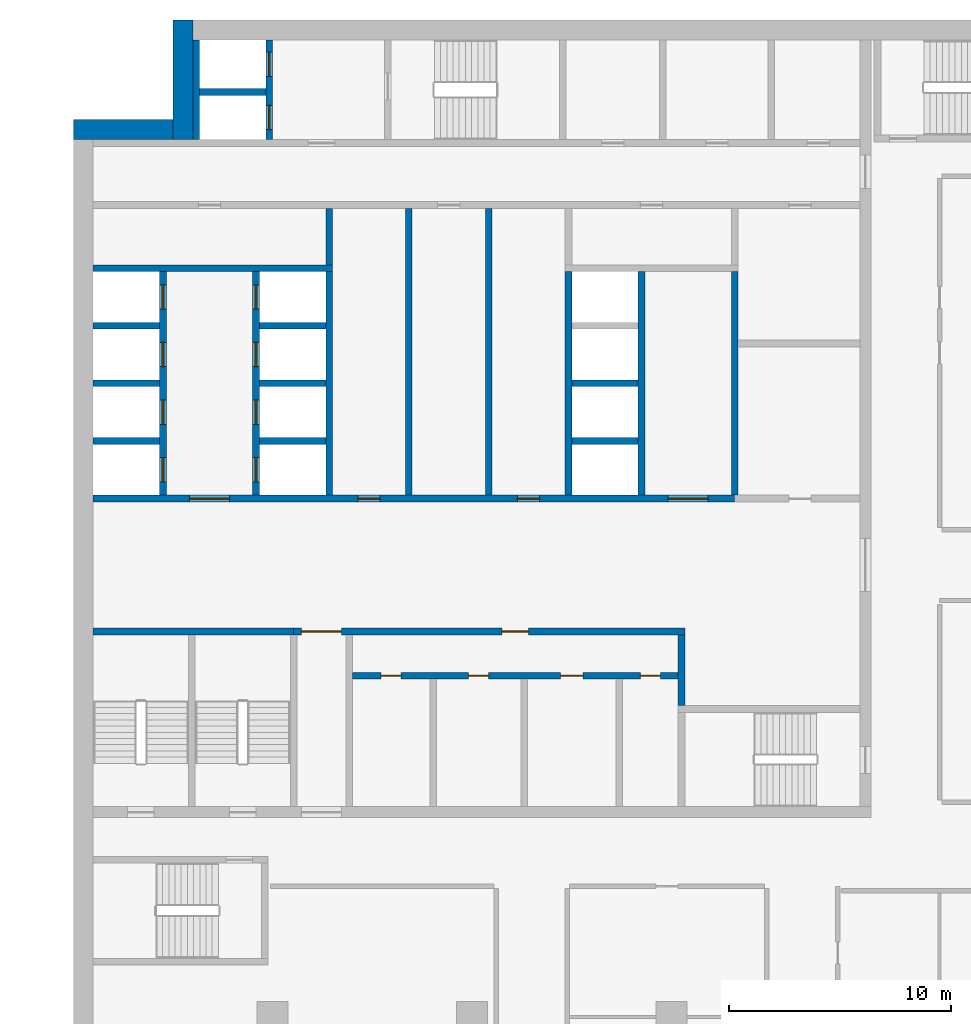
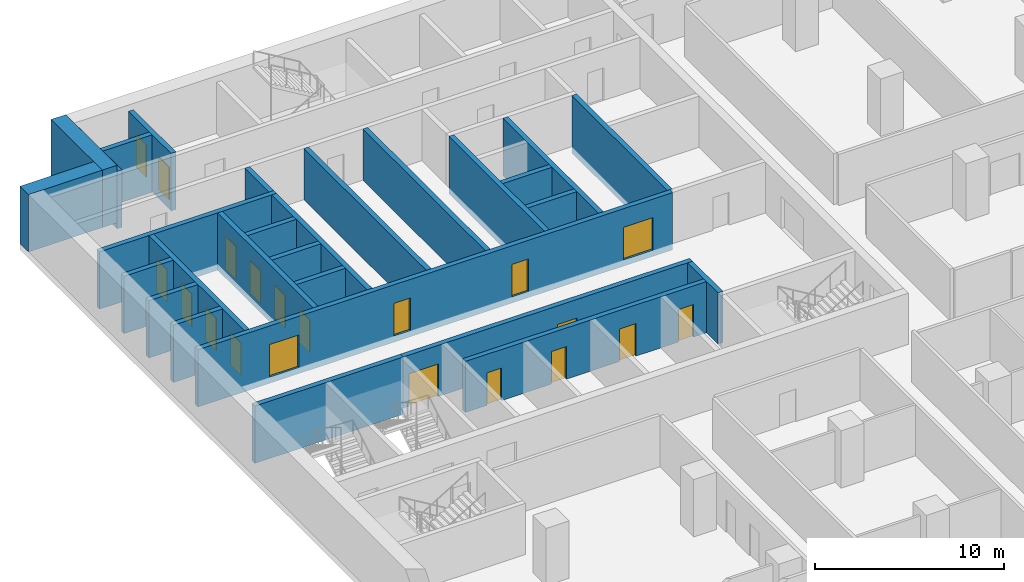
# One storey, part 14 of 29: 28 walls, 20 doors, 20 openings.
"""IFC4 building model written with IfcOpenShell, lengths in metres."""

from ifc_helpers import new_model, si_unit, direction, frame, frame_2d, origin, place, context, subcontext, project, spatial, rectangle, extrude, material, layer, layer_set, type_object, element, fill, save


model = new_model("IFC4")

# Units and contexts
model_context = context("Model", 3, precision=1e-05, world=origin(), true_north=direction((0.0, 1.0)))
body_context = subcontext(model_context, "Body", "Model", "MODEL_VIEW")
ifc_project = project(units=[si_unit("LENGTHUNIT", "METRE"), si_unit("AREAUNIT", "SQUARE_METRE"), si_unit("VOLUMEUNIT", "CUBIC_METRE"), si_unit("PLANEANGLEUNIT", "RADIAN"), si_unit("MASSUNIT", "GRAM", prefix="KILO")], contexts=[model_context])

# Site, building, storey
site_placement = place(None, origin())
site = spatial("IfcSite", under=ifc_project, at=site_placement, CompositionType="ELEMENT")
building_placement = place(site_placement, origin())
building = spatial("IfcBuilding", under=site, at=building_placement, Name="Hunhe Ridgeline Campus", CompositionType="ELEMENT")
storey_placement = place(building_placement, frame((0.0, 0.0, 50.60009765625)))
storey = spatial("IfcBuildingStorey", under=building, at=storey_placement, Name="L11", CompositionType="ELEMENT", Elevation=50.60009765625)

# Wall, openings, doors
ifc_material_1 = material(Name="Masonry concrete blockwork", Category="masonry")
ifc_layer_1 = layer(ifc_material_1, 0.300048828125)
ifc_layer_set_1 = layer_set([ifc_layer_1], Name="Core room partition 300 concrete block")
wall_type_1 = type_object("IfcWallType", Name="Core room partition 300 concrete block", PredefinedType="PARTITIONING", material=ifc_layer_set_1)
wall_1_placement = place(storey_placement, frame((12.60009765625, 69.39990234375, 0.0), z_axis=(0.0, 0.0, 1.0), x_axis=(1.0, 0.0, 0.0)))
wall_1 = element("IfcWall", 1, at=wall_1_placement, inside=storey, type_object=wall_type_1, Name="L11 core partition 11", PredefinedType="PARTITIONING", context=body_context, shape_type="SweptSolid", body=[
    extrude(rectangle(XDim=14.699951171875, YDim=0.300048828125, at=frame_2d((7.35009765625, 0.0))), origin(), (0.0, 0.0, 1.0), 3.2998046875),
])
opening_1_placement = place(wall_1_placement, frame((1.300048828125, 0.0, 0.0)))
opening_1 = element("IfcOpeningElement", 2, at=opening_1_placement, cuts=wall_1, Name="Opening CD8", PredefinedType="OPENING", context=body_context, shape_type="SweptSolid", body=[
    extrude(rectangle(XDim=0.89990234375, YDim=2.10009765625, at=frame_2d((0.449951171875, 1.050048828125))), frame((0.0, 0.14990234375, 0.0), z_axis=(0.0, -1.0, 0.0), x_axis=(1.0, 0.0, 0.0)), (0.0, 0.0, 1.0), 0.300048828125),
])
opening_2_placement = place(wall_1_placement, frame((5.25, 0.0, 0.0)))
opening_2 = element("IfcOpeningElement", 3, at=opening_2_placement, cuts=wall_1, Name="Opening CD9", PredefinedType="OPENING", context=body_context, shape_type="SweptSolid", body=[
    extrude(rectangle(XDim=0.89990234375, YDim=2.10009765625, at=frame_2d((0.449951171875, 1.050048828125))), frame((0.0, 0.14990234375, 0.0), z_axis=(0.0, -1.0, 0.0), x_axis=(1.0, 0.0, 0.0)), (0.0, 0.0, 1.0), 0.300048828125),
])
opening_3_placement = place(wall_1_placement, frame((9.39990234375, 0.0, 0.0)))
opening_3 = element("IfcOpeningElement", 4, at=opening_3_placement, cuts=wall_1, Name="Opening CD10", PredefinedType="OPENING", context=body_context, shape_type="SweptSolid", body=[
    extrude(rectangle(XDim=1.0, YDim=2.10009765625, at=frame_2d((0.5, 1.050048828125))), frame((0.0, 0.14990234375, 0.0), z_axis=(0.0, -1.0, 0.0), x_axis=(1.0, 0.0, 0.0)), (0.0, 0.0, 1.0), 0.300048828125),
])
opening_4_placement = place(wall_1_placement, frame((13.0, 0.0, 0.0)))
opening_4 = element("IfcOpeningElement", 5, at=opening_4_placement, cuts=wall_1, Name="Opening CD11", PredefinedType="OPENING", context=body_context, shape_type="SweptSolid", body=[
    extrude(rectangle(XDim=0.89990234375, YDim=2.10009765625, at=frame_2d((0.449951171875, 1.050048828125))), frame((0.0, 0.14990234375, 0.0), z_axis=(0.0, -1.0, 0.0), x_axis=(1.0, 0.0, 0.0)), (0.0, 0.0, 1.0), 0.300048828125),
])
ifc_material_2 = material(Name="Solid core timber door leaf", Category="wood")
door_type_1 = type_object("IfcDoorType", Name="Timber door 1000x2100", OperationType="SINGLE_SWING_LEFT", PredefinedType="DOOR", material=ifc_material_2)
door_1_placement = place(opening_3_placement, frame((1.0, 0.0, 0.0), z_axis=(0.0, 0.0, 1.0), x_axis=(-1.0, 0.0, 0.0)))
door_1 = element("IfcDoor", 6, at=door_1_placement, inside=storey, type_object=door_type_1, Name="L11 door WC3", OperationType="SINGLE_SWING_RIGHT", OverallHeight=2.10009765625, OverallWidth=1.0, PredefinedType="DOOR", context=body_context, shape_type="SweptSolid", body=[
    extrude(rectangle(XDim=1.0, YDim=2.10009765625, at=frame_2d((0.5, 1.050048828125))), frame((0.0, 0.02490234375, 0.0), z_axis=(0.0, -1.0, 0.0), x_axis=(1.0, 0.0, 0.0)), (0.0, 0.0, 1.0), 0.050048828125),
])
fill(opening_3, door_1)
door_type_2 = type_object("IfcDoorType", Name="Timber door 900x2100", OperationType="SINGLE_SWING_LEFT", PredefinedType="DOOR", material=ifc_material_2)
door_2_placement = place(opening_1_placement, frame((0.89990234375, 0.0, 0.0), z_axis=(0.0, 0.0, 1.0), x_axis=(-1.0, 0.0, 0.0)))
door_2 = element("IfcDoor", 7, at=door_2_placement, inside=storey, type_object=door_type_2, Name="L11 door WC1", OperationType="SINGLE_SWING_RIGHT", OverallHeight=2.10009765625, OverallWidth=0.89990234375, PredefinedType="DOOR", context=body_context, shape_type="SweptSolid", body=[
    extrude(rectangle(XDim=0.89990234375, YDim=2.10009765625, at=frame_2d((0.449951171875, 1.050048828125))), frame((0.0, 0.02490234375, 0.0), z_axis=(0.0, -1.0, 0.0), x_axis=(1.0, 0.0, 0.0)), (0.0, 0.0, 1.0), 0.050048828125),
])
fill(opening_1, door_2)
door_3_placement = place(opening_2_placement, frame((0.89990234375, 0.0, 0.0), z_axis=(0.0, 0.0, 1.0), x_axis=(-1.0, 0.0, 0.0)))
door_3 = element("IfcDoor", 8, at=door_3_placement, inside=storey, type_object=door_type_2, Name="L11 door WC2", OperationType="SINGLE_SWING_LEFT", OverallHeight=2.10009765625, OverallWidth=0.89990234375, PredefinedType="DOOR", context=body_context, shape_type="SweptSolid", body=[
    extrude(rectangle(XDim=0.89990234375, YDim=2.10009765625, at=frame_2d((0.449951171875, 1.050048828125))), frame((0.0, 0.02490234375, 0.0), z_axis=(0.0, -1.0, 0.0), x_axis=(1.0, 0.0, 0.0)), (0.0, 0.0, 1.0), 0.050048828125),
])
fill(opening_2, door_3)
door_4_placement = place(opening_4_placement, frame((0.89990234375, 0.0, 0.0), z_axis=(0.0, 0.0, 1.0), x_axis=(-1.0, 0.0, 0.0)))
door_4 = element("IfcDoor", 9, at=door_4_placement, inside=storey, type_object=door_type_2, Name="L11 door WC4", OperationType="SINGLE_SWING_LEFT", OverallHeight=2.10009765625, OverallWidth=0.89990234375, PredefinedType="DOOR", context=body_context, shape_type="SweptSolid", body=[
    extrude(rectangle(XDim=0.89990234375, YDim=2.10009765625, at=frame_2d((0.449951171875, 1.050048828125))), frame((0.0, 0.02490234375, 0.0), z_axis=(0.0, -1.0, 0.0), x_axis=(1.0, 0.0, 0.0)), (0.0, 0.0, 1.0), 0.050048828125),
])
fill(opening_4, door_4)

wall_2_placement = place(storey_placement, frame((9.949951171875, 71.39990234375, 0.0), z_axis=(0.0, 0.0, 1.0), x_axis=(1.0, 0.0, 0.0)))
wall_2 = element("IfcWall", 10, at=wall_2_placement, inside=storey, type_object=wall_type_1, Name="L11 core partition 13", PredefinedType="PARTITIONING", context=body_context, shape_type="SweptSolid", body=[
    extrude(rectangle(XDim=17.650146484375, YDim=0.300048828125, at=frame_2d((8.8251953125, 0.0))), origin(), (0.0, 0.0, 1.0), 3.2998046875),
])
opening_5_placement = place(wall_2_placement, frame((0.35009765625, 0.0, 0.0)))
opening_5 = element("IfcOpeningElement", 11, at=opening_5_placement, cuts=wall_2, Name="Opening CD7", PredefinedType="OPENING", context=body_context, shape_type="SweptSolid", body=[
    extrude(rectangle(XDim=1.800048828125, YDim=2.10009765625, at=frame_2d((0.89990234375, 1.050048828125))), frame((0.0, 0.14990234375, 0.0), z_axis=(0.0, -1.0, 0.0), x_axis=(1.0, 0.0, 0.0)), (0.0, 0.0, 1.0), 0.300048828125),
])
opening_6_placement = place(wall_2_placement, frame((9.39990234375, 0.0, 0.0)))
opening_6 = element("IfcOpeningElement", 12, at=opening_6_placement, cuts=wall_2, Name="Opening CD12", PredefinedType="OPENING", context=body_context, shape_type="SweptSolid", body=[
    extrude(rectangle(XDim=1.199951171875, YDim=2.10009765625, at=frame_2d((0.60009765625, 1.050048828125))), frame((0.0, 0.14990234375, 0.0), z_axis=(0.0, -1.0, 0.0), x_axis=(1.0, 0.0, 0.0)), (0.0, 0.0, 1.0), 0.300048828125),
])
ifc_material_3 = material(Name="Anodised aluminium and glass", Category="aluminium")
door_type_3 = type_object("IfcDoorType", Name="Glazed double door 1800x2100", OperationType="DOUBLE_DOOR_SINGLE_SWING", PredefinedType="DOOR", material=ifc_material_3)
door_5_placement = place(opening_5_placement, origin())
door_5 = element("IfcDoor", 13, at=door_5_placement, inside=storey, type_object=door_type_3, Name="L11 door VEST-HALL", OperationType="DOUBLE_DOOR_SINGLE_SWING", OverallHeight=2.10009765625, OverallWidth=1.800048828125, PredefinedType="DOOR", context=body_context, shape_type="SweptSolid", body=[
    extrude(rectangle(XDim=1.800048828125, YDim=2.10009765625, at=frame_2d((0.89990234375, 1.050048828125))), frame((0.0, 0.02490234375, 0.0), z_axis=(0.0, -1.0, 0.0), x_axis=(1.0, 0.0, 0.0)), (0.0, 0.0, 1.0), 0.050048828125),
])
fill(opening_5, door_5)
door_type_4 = type_object("IfcDoorType", Name="Timber door 1200x2100", OperationType="SINGLE_SWING_LEFT", PredefinedType="DOOR", material=ifc_material_2)
door_6_placement = place(opening_6_placement, origin())
door_6 = element("IfcDoor", 14, at=door_6_placement, inside=storey, type_object=door_type_4, Name="L11 door WCL2-HALL", OperationType="SINGLE_SWING_LEFT", OverallHeight=2.10009765625, OverallWidth=1.199951171875, PredefinedType="DOOR", context=body_context, shape_type="SweptSolid", body=[
    extrude(rectangle(XDim=1.199951171875, YDim=2.10009765625, at=frame_2d((0.60009765625, 1.050048828125))), frame((0.0, 0.02490234375, 0.0), z_axis=(0.0, -1.0, 0.0), x_axis=(1.0, 0.0, 0.0)), (0.0, 0.0, 1.0), 0.050048828125),
])
fill(opening_6, door_6)

# Walls
wall_3_placement = place(storey_placement, frame((11.550048828125, 87.949951171875, 0.0), z_axis=(0.0, 0.0, 1.0), x_axis=(0.0, 1.0, 0.0)))
element("IfcWall", 15, at=wall_3_placement, inside=storey, type_object=wall_type_1, Name="L11 core partition 44", PredefinedType="PARTITIONING", context=body_context, shape_type="SweptSolid", body=[
    extrude(rectangle(XDim=2.550048828125, YDim=0.300048828125, at=frame_2d((1.27490234375, 0.0))), origin(), (0.0, 0.0, 1.0), 3.2998046875),
])
for number, where, z_axis, x_axis, name in (
    (16, (15.14990234375, 77.550048828125, 0.0), (0.0, 0.0, 1.0), (0.0, 1.0, 0.0), "L11 core partition 47"),
    (17, (18.75, 77.550048828125, 0.0), (0.0, 0.0, 1.0), (0.0, 1.0, 0.0), "L11 core partition 49"),
):
    element("IfcWall", number, at=place(storey_placement, frame(where, z_axis=z_axis, x_axis=x_axis)), inside=storey, type_object=wall_type_1, Name=name, PredefinedType="PARTITIONING", context=body_context, shape_type="SweptSolid", body=[
        extrude(rectangle(XDim=12.949951171875, YDim=0.300048828125, at=frame_2d((6.47509765625, 0.0))), origin(), (0.0, 0.0, 1.0), 3.2998046875),
    ])
wall_4_placement = place(storey_placement, frame((27.449951171875, 68.050048828125, 0.0), z_axis=(0.0, 0.0, 1.0), x_axis=(0.0, 1.0, 0.0)))
element("IfcWall", 18, at=wall_4_placement, inside=storey, type_object=wall_type_1, Name="L11 core partition 60", PredefinedType="PARTITIONING", context=body_context, shape_type="SweptSolid", body=[
    extrude(rectangle(XDim=3.199951171875, YDim=0.300048828125, at=frame_2d((1.60009765625, 0.0))), origin(), (0.0, 0.0, 1.0), 3.2998046875),
])
ifc_material_4 = material(Name="Concrete C80", Category="concrete")
ifc_layer_2 = layer(ifc_material_4, 0.300048828125)
ifc_layer_set_2 = layer_set([ifc_layer_2], Name="Lobby wall 300 reinforced concrete C80")
wall_type_2 = type_object("IfcWallType", Name="Lobby wall 300 reinforced concrete C80", PredefinedType="SOLIDWALL", material=ifc_layer_set_2)
wall_5_placement = place(storey_placement, frame((29.85009765625, 77.550048828125, -0.400146484375), z_axis=(0.0, 0.0, 1.0), x_axis=(0.0, 1.0, 0.0)))
element("IfcWall", 19, at=wall_5_placement, inside=storey, type_object=wall_type_2, Name="L11 core wall 61", PredefinedType="SOLIDWALL", context=body_context, shape_type="SweptSolid", body=[
    extrude(rectangle(XDim=10.099853515625, YDim=0.300048828125, at=frame_2d((5.0498046875, 0.0))), origin(), (0.0, 0.0, 1.0), 3.699951171875),
])

# Wall, openings, doors
ifc_layer_3 = layer(ifc_material_4, 0.300048828125)
ifc_layer_set_3 = layer_set([ifc_layer_3], Name="Shaft wall 300 reinforced concrete C80")
wall_type_3 = type_object("IfcWallType", Name="Shaft wall 300 reinforced concrete C80", PredefinedType="SOLIDWALL", material=ifc_layer_set_3)
wall_6_placement = place(storey_placement, frame((0.89990234375, 77.39990234375, -0.400146484375), z_axis=(0.0, 0.0, 1.0), x_axis=(1.0, 0.0, 0.0)))
wall_6 = element("IfcWall", 20, at=wall_6_placement, inside=storey, type_object=wall_type_3, Name="L11 core wall 14", PredefinedType="SOLIDWALL", context=body_context, shape_type="SweptSolid", body=[
    extrude(rectangle(XDim=28.9501953125, YDim=0.300048828125, at=frame_2d((14.47509765625, 0.0))), origin(), (0.0, 0.0, 1.0), 3.699951171875),
])
opening_7_placement = place(wall_6_placement, frame((4.35009765625, 0.0, 0.39990234375)))
opening_7 = element("IfcOpeningElement", 21, at=opening_7_placement, cuts=wall_6, Name="Opening CD1", PredefinedType="OPENING", context=body_context, shape_type="SweptSolid", body=[
    extrude(rectangle(XDim=1.800048828125, YDim=2.10009765625, at=frame_2d((0.89990234375, 1.050048828125))), frame((0.0, 0.14990234375, 0.0), z_axis=(0.0, -1.0, 0.0), x_axis=(1.0, 0.0, 0.0)), (0.0, 0.0, 1.0), 0.300048828125),
])
opening_8_placement = place(wall_6_placement, frame((25.949951171875, 0.0, 0.39990234375)))
opening_8 = element("IfcOpeningElement", 22, at=opening_8_placement, cuts=wall_6, Name="Opening CD2", PredefinedType="OPENING", context=body_context, shape_type="SweptSolid", body=[
    extrude(rectangle(XDim=1.800048828125, YDim=2.10009765625, at=frame_2d((0.89990234375, 1.050048828125))), frame((0.0, 0.14990234375, 0.0), z_axis=(0.0, -1.0, 0.0), x_axis=(1.0, 0.0, 0.0)), (0.0, 0.0, 1.0), 0.300048828125),
])
opening_9_placement = place(wall_6_placement, frame((11.949951171875, 0.0, 0.39990234375)))
opening_9 = element("IfcOpeningElement", 23, at=opening_9_placement, cuts=wall_6, Name="Opening CD28", PredefinedType="OPENING", context=body_context, shape_type="SweptSolid", body=[
    extrude(rectangle(XDim=1.0, YDim=2.10009765625, at=frame_2d((0.5, 1.050048828125))), frame((0.0, 0.14990234375, 0.0), z_axis=(0.0, -1.0, 0.0), x_axis=(1.0, 0.0, 0.0)), (0.0, 0.0, 1.0), 0.300048828125),
])
opening_10_placement = place(wall_6_placement, frame((19.14990234375, 0.0, 0.39990234375)))
opening_10 = element("IfcOpeningElement", 24, at=opening_10_placement, cuts=wall_6, Name="Opening CD30", PredefinedType="OPENING", context=body_context, shape_type="SweptSolid", body=[
    extrude(rectangle(XDim=1.0, YDim=2.10009765625, at=frame_2d((0.5, 1.050048828125))), frame((0.0, 0.14990234375, 0.0), z_axis=(0.0, -1.0, 0.0), x_axis=(1.0, 0.0, 0.0)), (0.0, 0.0, 1.0), 0.300048828125),
])
ifc_material_5 = material(Name="Hollow metal fire door leaf")
door_type_5 = type_object("IfcDoorType", Name="Lobby door 1800x2100 FD60", OperationType="SINGLE_SWING_LEFT", PredefinedType="DOOR", material=ifc_material_5)
door_7_placement = place(opening_7_placement, frame((1.800048828125, 0.0, 0.0), z_axis=(0.0, 0.0, 1.0), x_axis=(-1.0, 0.0, 0.0)))
door_7 = element("IfcDoor", 25, at=door_7_placement, inside=storey, type_object=door_type_5, Name="L11 door LOB-LR", OperationType="SINGLE_SWING_RIGHT", OverallHeight=2.10009765625, OverallWidth=1.800048828125, PredefinedType="DOOR", context=body_context, shape_type="SweptSolid", body=[
    extrude(rectangle(XDim=1.800048828125, YDim=2.10009765625, at=frame_2d((0.89990234375, 1.050048828125))), frame((0.0, 0.02490234375, 0.0), z_axis=(0.0, -1.0, 0.0), x_axis=(1.0, 0.0, 0.0)), (0.0, 0.0, 1.0), 0.050048828125),
])
fill(opening_7, door_7)
door_8_placement = place(opening_8_placement, frame((1.800048828125, 0.0, 0.0), z_axis=(0.0, 0.0, 1.0), x_axis=(-1.0, 0.0, 0.0)))
door_8 = element("IfcDoor", 26, at=door_8_placement, inside=storey, type_object=door_type_5, Name="L11 door LOB-SH", OperationType="SINGLE_SWING_LEFT", OverallHeight=2.10009765625, OverallWidth=1.800048828125, PredefinedType="DOOR", context=body_context, shape_type="SweptSolid", body=[
    extrude(rectangle(XDim=1.800048828125, YDim=2.10009765625, at=frame_2d((0.89990234375, 1.050048828125))), frame((0.0, 0.02490234375, 0.0), z_axis=(0.0, -1.0, 0.0), x_axis=(1.0, 0.0, 0.0)), (0.0, 0.0, 1.0), 0.050048828125),
])
fill(opening_8, door_8)
door_9_placement = place(opening_9_placement, origin())
door_9 = element("IfcDoor", 27, at=door_9_placement, inside=storey, type_object=door_type_1, Name="L11 door VD-HR0", OperationType="SINGLE_SWING_LEFT", OverallHeight=2.10009765625, OverallWidth=1.0, PredefinedType="DOOR", context=body_context, shape_type="SweptSolid", body=[
    extrude(rectangle(XDim=1.0, YDim=2.10009765625, at=frame_2d((0.5, 1.050048828125))), frame((0.0, 0.02490234375, 0.0), z_axis=(0.0, -1.0, 0.0), x_axis=(1.0, 0.0, 0.0)), (0.0, 0.0, 1.0), 0.050048828125),
])
fill(opening_9, door_9)
door_10_placement = place(opening_10_placement, origin())
door_10 = element("IfcDoor", 28, at=door_10_placement, inside=storey, type_object=door_type_1, Name="L11 door VD-HR2", OperationType="SINGLE_SWING_LEFT", OverallHeight=2.10009765625, OverallWidth=1.0, PredefinedType="DOOR", context=body_context, shape_type="SweptSolid", body=[
    extrude(rectangle(XDim=1.0, YDim=2.10009765625, at=frame_2d((0.5, 1.050048828125))), frame((0.0, 0.02490234375, 0.0), z_axis=(0.0, -1.0, 0.0), x_axis=(1.0, 0.0, 0.0)), (0.0, 0.0, 1.0), 0.050048828125),
])
fill(opening_10, door_10)

# Walls
for number, where, z_axis, x_axis, name in (
    (29, (0.89990234375, 80.0, -0.400146484375), (0.0, 0.0, 1.0), (1.0, 0.0, 0.0), "L11 core wall 16"),
    (30, (8.39990234375, 80.0, -0.400146484375), (0.0, 0.0, 1.0), (1.0, 0.0, 0.0), "L11 core wall 17"),
    (31, (22.5, 80.0, -0.400146484375), (0.0, 0.0, 1.0), (1.0, 0.0, 0.0), "L11 core wall 18"),
    (32, (0.89990234375, 82.60009765625, -0.400146484375), (0.0, 0.0, 1.0), (1.0, 0.0, 0.0), "L11 core wall 19"),
    (33, (8.39990234375, 82.60009765625, -0.400146484375), (0.0, 0.0, 1.0), (1.0, 0.0, 0.0), "L11 core wall 20"),
    (34, (22.5, 82.60009765625, -0.400146484375), (0.0, 0.0, 1.0), (1.0, 0.0, 0.0), "L11 core wall 21"),
    (35, (0.89990234375, 85.199951171875, -0.400146484375), (0.0, 0.0, 1.0), (1.0, 0.0, 0.0), "L11 core wall 23"),
    (36, (8.39990234375, 85.199951171875, -0.400146484375), (0.0, 0.0, 1.0), (1.0, 0.0, 0.0), "L11 core wall 24"),
):
    element("IfcWall", number, at=place(storey_placement, frame(where, z_axis=z_axis, x_axis=x_axis)), inside=storey, type_object=wall_type_3, Name=name, PredefinedType="SOLIDWALL", context=body_context, shape_type="SweptSolid", body=[
        extrude(rectangle(XDim=3.0, YDim=0.300048828125, at=frame_2d((1.5, 0.0))), origin(), (0.0, 0.0, 1.0), 3.699951171875),
    ])
wall_7_placement = place(storey_placement, frame((0.89990234375, 87.800048828125, -0.400146484375), z_axis=(0.0, 0.0, 1.0), x_axis=(1.0, 0.0, 0.0)))
element("IfcWall", 37, at=wall_7_placement, inside=storey, type_object=wall_type_3, Name="L11 core wall 26", PredefinedType="SOLIDWALL", context=body_context, shape_type="SweptSolid", body=[
    extrude(rectangle(XDim=10.800048828125, YDim=0.300048828125, at=frame_2d((5.39990234375, 0.0))), origin(), (0.0, 0.0, 1.0), 3.699951171875),
])
wall_8_placement = place(storey_placement, frame((5.699951171875, 95.75, -0.400146484375), z_axis=(0.0, 0.0, 1.0), x_axis=(1.0, 0.0, 0.0)))
element("IfcWall", 38, at=wall_8_placement, inside=storey, type_object=wall_type_3, Name="L11 core wall 34", PredefinedType="SOLIDWALL", context=body_context, shape_type="SweptSolid", body=[
    extrude(rectangle(XDim=3.0, YDim=0.300048828125, at=frame_2d((1.5, 0.0))), origin(), (0.0, 0.0, 1.0), 3.699951171875),
])

# Wall, openings, doors
wall_9_placement = place(storey_placement, frame((4.050048828125, 77.550048828125, -0.400146484375), z_axis=(0.0, 0.0, 1.0), x_axis=(0.0, 1.0, 0.0)))
wall_9 = element("IfcWall", 39, at=wall_9_placement, inside=storey, type_object=wall_type_3, Name="L11 core wall 35", PredefinedType="SOLIDWALL", context=body_context, shape_type="SweptSolid", body=[
    extrude(rectangle(XDim=10.099853515625, YDim=0.300048828125, at=frame_2d((5.0498046875, 0.0))), origin(), (0.0, 0.0, 1.0), 3.699951171875),
])
opening_11_placement = place(wall_9_placement, frame((0.60009765625, 0.0, 0.39990234375)))
opening_11 = element("IfcOpeningElement", 40, at=opening_11_placement, cuts=wall_9, Name="Opening LD-LR1", PredefinedType="OPENING", context=body_context, shape_type="SweptSolid", body=[
    extrude(rectangle(XDim=1.10009765625, YDim=2.10009765625, at=frame_2d((0.550048828125, 1.050048828125))), frame((0.0, 0.14990234375, 0.0), z_axis=(0.0, -1.0, 0.0), x_axis=(1.0, 0.0, 0.0)), (0.0, 0.0, 1.0), 0.300048828125),
])
opening_12_placement = place(wall_9_placement, frame((3.199951171875, 0.0, 0.39990234375)))
opening_12 = element("IfcOpeningElement", 41, at=opening_12_placement, cuts=wall_9, Name="Opening LD-LR2", PredefinedType="OPENING", context=body_context, shape_type="SweptSolid", body=[
    extrude(rectangle(XDim=1.10009765625, YDim=2.10009765625, at=frame_2d((0.550048828125, 1.050048828125))), frame((0.0, 0.14990234375, 0.0), z_axis=(0.0, -1.0, 0.0), x_axis=(1.0, 0.0, 0.0)), (0.0, 0.0, 1.0), 0.300048828125),
])
opening_13_placement = place(wall_9_placement, frame((5.800048828125, 0.0, 0.39990234375)))
opening_13 = element("IfcOpeningElement", 42, at=opening_13_placement, cuts=wall_9, Name="Opening LD-LR3", PredefinedType="OPENING", context=body_context, shape_type="SweptSolid", body=[
    extrude(rectangle(XDim=1.10009765625, YDim=2.10009765625, at=frame_2d((0.550048828125, 1.050048828125))), frame((0.0, 0.14990234375, 0.0), z_axis=(0.0, -1.0, 0.0), x_axis=(1.0, 0.0, 0.0)), (0.0, 0.0, 1.0), 0.300048828125),
])
opening_14_placement = place(wall_9_placement, frame((8.39990234375, 0.0, 0.39990234375)))
opening_14 = element("IfcOpeningElement", 43, at=opening_14_placement, cuts=wall_9, Name="Opening LD-LR4", PredefinedType="OPENING", context=body_context, shape_type="SweptSolid", body=[
    extrude(rectangle(XDim=1.10009765625, YDim=2.10009765625, at=frame_2d((0.550048828125, 1.050048828125))), frame((0.0, 0.14990234375, 0.0), z_axis=(0.0, -1.0, 0.0), x_axis=(1.0, 0.0, 0.0)), (0.0, 0.0, 1.0), 0.300048828125),
])
ifc_material_6 = material(Name="Stainless steel sliding leaves", Category="steel")
door_type_6 = type_object("IfcDoorType", Name="Landing door 1100x2100 FD120", OperationType="SLIDING_TO_LEFT", PredefinedType="DOOR", material=ifc_material_6)
door_11_placement = place(opening_11_placement, origin())
door_11 = element("IfcDoor", 44, at=door_11_placement, inside=storey, type_object=door_type_6, Name="L11 landing door LR1", OperationType="SLIDING_TO_RIGHT", OverallHeight=2.10009765625, OverallWidth=1.10009765625, PredefinedType="DOOR", context=body_context, shape_type="SweptSolid", body=[
    extrude(rectangle(XDim=1.10009765625, YDim=2.10009765625, at=frame_2d((0.550048828125, 1.050048828125))), frame((0.0, 0.02490234375, 0.0), z_axis=(0.0, -1.0, 0.0), x_axis=(1.0, 0.0, 0.0)), (0.0, 0.0, 1.0), 0.050048828125),
])
fill(opening_11, door_11)
door_12_placement = place(opening_12_placement, origin())
door_12 = element("IfcDoor", 45, at=door_12_placement, inside=storey, type_object=door_type_6, Name="L11 landing door LR2", OperationType="SLIDING_TO_LEFT", OverallHeight=2.10009765625, OverallWidth=1.10009765625, PredefinedType="DOOR", context=body_context, shape_type="SweptSolid", body=[
    extrude(rectangle(XDim=1.10009765625, YDim=2.10009765625, at=frame_2d((0.550048828125, 1.050048828125))), frame((0.0, 0.02490234375, 0.0), z_axis=(0.0, -1.0, 0.0), x_axis=(1.0, 0.0, 0.0)), (0.0, 0.0, 1.0), 0.050048828125),
])
fill(opening_12, door_12)
door_13_placement = place(opening_13_placement, origin())
door_13 = element("IfcDoor", 46, at=door_13_placement, inside=storey, type_object=door_type_6, Name="L11 landing door LR3", OperationType="SLIDING_TO_RIGHT", OverallHeight=2.10009765625, OverallWidth=1.10009765625, PredefinedType="DOOR", context=body_context, shape_type="SweptSolid", body=[
    extrude(rectangle(XDim=1.10009765625, YDim=2.10009765625, at=frame_2d((0.550048828125, 1.050048828125))), frame((0.0, 0.02490234375, 0.0), z_axis=(0.0, -1.0, 0.0), x_axis=(1.0, 0.0, 0.0)), (0.0, 0.0, 1.0), 0.050048828125),
])
fill(opening_13, door_13)
door_14_placement = place(opening_14_placement, origin())
door_14 = element("IfcDoor", 47, at=door_14_placement, inside=storey, type_object=door_type_6, Name="L11 landing door LR4", OperationType="SLIDING_TO_LEFT", OverallHeight=2.10009765625, OverallWidth=1.10009765625, PredefinedType="DOOR", context=body_context, shape_type="SweptSolid", body=[
    extrude(rectangle(XDim=1.10009765625, YDim=2.10009765625, at=frame_2d((0.550048828125, 1.050048828125))), frame((0.0, 0.02490234375, 0.0), z_axis=(0.0, -1.0, 0.0), x_axis=(1.0, 0.0, 0.0)), (0.0, 0.0, 1.0), 0.050048828125),
])
fill(opening_14, door_14)

# Wall
wall_10_placement = place(storey_placement, frame((5.550048828125, 93.60009765625, -0.400146484375), z_axis=(0.0, 0.0, 1.0), x_axis=(0.0, 1.0, 0.0)))
element("IfcWall", 48, at=wall_10_placement, inside=storey, type_object=wall_type_3, Name="L11 core wall 37", PredefinedType="SOLIDWALL", context=body_context, shape_type="SweptSolid", body=[
    extrude(rectangle(XDim=4.5, YDim=0.300048828125, at=frame_2d((2.25, 0.0))), origin(), (0.0, 0.0, 1.0), 3.699951171875),
])

# Wall, openings, doors
wall_11_placement = place(storey_placement, frame((8.25, 77.550048828125, -0.400146484375), z_axis=(0.0, 0.0, 1.0), x_axis=(0.0, 1.0, 0.0)))
wall_11 = element("IfcWall", 49, at=wall_11_placement, inside=storey, type_object=wall_type_3, Name="L11 core wall 38", PredefinedType="SOLIDWALL", context=body_context, shape_type="SweptSolid", body=[
    extrude(rectangle(XDim=10.099853515625, YDim=0.300048828125, at=frame_2d((5.0498046875, 0.0))), origin(), (0.0, 0.0, 1.0), 3.699951171875),
])
opening_15_placement = place(wall_11_placement, frame((0.60009765625, 0.0, 0.39990234375)))
opening_15 = element("IfcOpeningElement", 50, at=opening_15_placement, cuts=wall_11, Name="Opening LD-LR5", PredefinedType="OPENING", context=body_context, shape_type="SweptSolid", body=[
    extrude(rectangle(XDim=1.10009765625, YDim=2.10009765625, at=frame_2d((0.550048828125, 1.050048828125))), frame((0.0, 0.14990234375, 0.0), z_axis=(0.0, -1.0, 0.0), x_axis=(1.0, 0.0, 0.0)), (0.0, 0.0, 1.0), 0.300048828125),
])
opening_16_placement = place(wall_11_placement, frame((3.199951171875, 0.0, 0.39990234375)))
opening_16 = element("IfcOpeningElement", 51, at=opening_16_placement, cuts=wall_11, Name="Opening LD-LR6", PredefinedType="OPENING", context=body_context, shape_type="SweptSolid", body=[
    extrude(rectangle(XDim=1.10009765625, YDim=2.10009765625, at=frame_2d((0.550048828125, 1.050048828125))), frame((0.0, 0.14990234375, 0.0), z_axis=(0.0, -1.0, 0.0), x_axis=(1.0, 0.0, 0.0)), (0.0, 0.0, 1.0), 0.300048828125),
])
opening_17_placement = place(wall_11_placement, frame((5.800048828125, 0.0, 0.39990234375)))
opening_17 = element("IfcOpeningElement", 52, at=opening_17_placement, cuts=wall_11, Name="Opening LD-LR7", PredefinedType="OPENING", context=body_context, shape_type="SweptSolid", body=[
    extrude(rectangle(XDim=1.10009765625, YDim=2.10009765625, at=frame_2d((0.550048828125, 1.050048828125))), frame((0.0, 0.14990234375, 0.0), z_axis=(0.0, -1.0, 0.0), x_axis=(1.0, 0.0, 0.0)), (0.0, 0.0, 1.0), 0.300048828125),
])
opening_18_placement = place(wall_11_placement, frame((8.39990234375, 0.0, 0.39990234375)))
opening_18 = element("IfcOpeningElement", 53, at=opening_18_placement, cuts=wall_11, Name="Opening LD-LR8", PredefinedType="OPENING", context=body_context, shape_type="SweptSolid", body=[
    extrude(rectangle(XDim=1.10009765625, YDim=2.10009765625, at=frame_2d((0.550048828125, 1.050048828125))), frame((0.0, 0.14990234375, 0.0), z_axis=(0.0, -1.0, 0.0), x_axis=(1.0, 0.0, 0.0)), (0.0, 0.0, 1.0), 0.300048828125),
])
door_15_placement = place(opening_15_placement, origin())
door_15 = element("IfcDoor", 54, at=door_15_placement, inside=storey, type_object=door_type_6, Name="L11 landing door LR5", OperationType="SLIDING_TO_RIGHT", OverallHeight=2.10009765625, OverallWidth=1.10009765625, PredefinedType="DOOR", context=body_context, shape_type="SweptSolid", body=[
    extrude(rectangle(XDim=1.10009765625, YDim=2.10009765625, at=frame_2d((0.550048828125, 1.050048828125))), frame((0.0, 0.02490234375, 0.0), z_axis=(0.0, -1.0, 0.0), x_axis=(1.0, 0.0, 0.0)), (0.0, 0.0, 1.0), 0.050048828125),
])
fill(opening_15, door_15)
door_16_placement = place(opening_16_placement, origin())
door_16 = element("IfcDoor", 55, at=door_16_placement, inside=storey, type_object=door_type_6, Name="L11 landing door LR6", OperationType="SLIDING_TO_LEFT", OverallHeight=2.10009765625, OverallWidth=1.10009765625, PredefinedType="DOOR", context=body_context, shape_type="SweptSolid", body=[
    extrude(rectangle(XDim=1.10009765625, YDim=2.10009765625, at=frame_2d((0.550048828125, 1.050048828125))), frame((0.0, 0.02490234375, 0.0), z_axis=(0.0, -1.0, 0.0), x_axis=(1.0, 0.0, 0.0)), (0.0, 0.0, 1.0), 0.050048828125),
])
fill(opening_16, door_16)
door_17_placement = place(opening_17_placement, origin())
door_17 = element("IfcDoor", 56, at=door_17_placement, inside=storey, type_object=door_type_6, Name="L11 landing door LR7", OperationType="SLIDING_TO_RIGHT", OverallHeight=2.10009765625, OverallWidth=1.10009765625, PredefinedType="DOOR", context=body_context, shape_type="SweptSolid", body=[
    extrude(rectangle(XDim=1.10009765625, YDim=2.10009765625, at=frame_2d((0.550048828125, 1.050048828125))), frame((0.0, 0.02490234375, 0.0), z_axis=(0.0, -1.0, 0.0), x_axis=(1.0, 0.0, 0.0)), (0.0, 0.0, 1.0), 0.050048828125),
])
fill(opening_17, door_17)
door_18_placement = place(opening_18_placement, origin())
door_18 = element("IfcDoor", 57, at=door_18_placement, inside=storey, type_object=door_type_6, Name="L11 landing door LR8", OperationType="SLIDING_TO_LEFT", OverallHeight=2.10009765625, OverallWidth=1.10009765625, PredefinedType="DOOR", context=body_context, shape_type="SweptSolid", body=[
    extrude(rectangle(XDim=1.10009765625, YDim=2.10009765625, at=frame_2d((0.550048828125, 1.050048828125))), frame((0.0, 0.02490234375, 0.0), z_axis=(0.0, -1.0, 0.0), x_axis=(1.0, 0.0, 0.0)), (0.0, 0.0, 1.0), 0.050048828125),
])
fill(opening_18, door_18)

wall_12_placement = place(storey_placement, frame((8.85009765625, 93.60009765625, -0.400146484375), z_axis=(0.0, 0.0, 1.0), x_axis=(0.0, 1.0, 0.0)))
wall_12 = element("IfcWall", 58, at=wall_12_placement, inside=storey, type_object=wall_type_3, Name="L11 core wall 41", PredefinedType="SOLIDWALL", context=body_context, shape_type="SweptSolid", body=[
    extrude(rectangle(XDim=4.5, YDim=0.300048828125, at=frame_2d((2.25, 0.0))), origin(), (0.0, 0.0, 1.0), 3.699951171875),
])
opening_19_placement = place(wall_12_placement, frame((0.449951171875, 0.0, 0.39990234375)))
opening_19 = element("IfcOpeningElement", 59, at=opening_19_placement, cuts=wall_12, Name="Opening LD-FF1", PredefinedType="OPENING", context=body_context, shape_type="SweptSolid", body=[
    extrude(rectangle(XDim=1.10009765625, YDim=2.10009765625, at=frame_2d((0.550048828125, 1.050048828125))), frame((0.0, 0.14990234375, 0.0), z_axis=(0.0, -1.0, 0.0), x_axis=(1.0, 0.0, 0.0)), (0.0, 0.0, 1.0), 0.300048828125),
])
opening_20_placement = place(wall_12_placement, frame((2.85009765625, 0.0, 0.39990234375)))
opening_20 = element("IfcOpeningElement", 60, at=opening_20_placement, cuts=wall_12, Name="Opening LD-FF2", PredefinedType="OPENING", context=body_context, shape_type="SweptSolid", body=[
    extrude(rectangle(XDim=1.10009765625, YDim=2.10009765625, at=frame_2d((0.550048828125, 1.050048828125))), frame((0.0, 0.14990234375, 0.0), z_axis=(0.0, -1.0, 0.0), x_axis=(1.0, 0.0, 0.0)), (0.0, 0.0, 1.0), 0.300048828125),
])
door_19_placement = place(opening_19_placement, origin())
door_19 = element("IfcDoor", 61, at=door_19_placement, inside=storey, type_object=door_type_6, Name="L11 landing door FF1", OperationType="SLIDING_TO_RIGHT", OverallHeight=2.10009765625, OverallWidth=1.10009765625, PredefinedType="DOOR", context=body_context, shape_type="SweptSolid", body=[
    extrude(rectangle(XDim=1.10009765625, YDim=2.10009765625, at=frame_2d((0.550048828125, 1.050048828125))), frame((0.0, 0.02490234375, 0.0), z_axis=(0.0, -1.0, 0.0), x_axis=(1.0, 0.0, 0.0)), (0.0, 0.0, 1.0), 0.050048828125),
])
fill(opening_19, door_19)
door_20_placement = place(opening_20_placement, origin())
door_20 = element("IfcDoor", 62, at=door_20_placement, inside=storey, type_object=door_type_6, Name="L11 landing door FF2", OperationType="SLIDING_TO_LEFT", OverallHeight=2.10009765625, OverallWidth=1.10009765625, PredefinedType="DOOR", context=body_context, shape_type="SweptSolid", body=[
    extrude(rectangle(XDim=1.10009765625, YDim=2.10009765625, at=frame_2d((0.550048828125, 1.050048828125))), frame((0.0, 0.02490234375, 0.0), z_axis=(0.0, -1.0, 0.0), x_axis=(1.0, 0.0, 0.0)), (0.0, 0.0, 1.0), 0.050048828125),
])
fill(opening_20, door_20)

# Walls
for number, where, z_axis, x_axis, name in (
    (63, (11.550048828125, 77.550048828125, -0.400146484375), (0.0, 0.0, 1.0), (0.0, 1.0, 0.0), "L11 core wall 43"),
    (64, (22.35009765625, 77.550048828125, -0.400146484375), (0.0, 0.0, 1.0), (0.0, 1.0, 0.0), "L11 core wall 53"),
    (65, (25.64990234375, 77.550048828125, -0.400146484375), (0.0, 0.0, 1.0), (0.0, 1.0, 0.0), "L11 core wall 57"),
):
    element("IfcWall", number, at=place(storey_placement, frame(where, z_axis=z_axis, x_axis=x_axis)), inside=storey, type_object=wall_type_3, Name=name, PredefinedType="SOLIDWALL", context=body_context, shape_type="SweptSolid", body=[
        extrude(rectangle(XDim=10.099853515625, YDim=0.300048828125, at=frame_2d((5.0498046875, 0.0))), origin(), (0.0, 0.0, 1.0), 3.699951171875),
    ])
ifc_layer_4 = layer(ifc_material_4, 0.89990234375)
ifc_layer_set_4 = layer_set([ifc_layer_4], Name="Spine wall 900 Concrete C80")
wall_type_4 = type_object("IfcWallType", Name="Spine wall 900 Concrete C80", PredefinedType="SHEAR", material=ifc_layer_set_4)
for number, where, z_axis, x_axis, name in (
    (66, (4.949951171875, 99.0, 0.0), (0.0, 0.0, 1.0), (0.0, -1.0, 0.0), "Spine wall SW1-5 L11"),
    (67, (5.400146484375, 94.050048828125, 0.0), (0.0, 0.0, 1.0), (-1.0, 0.0, 0.0), "Spine wall SW1-6 L11"),
):
    element("IfcWall", number, at=place(storey_placement, frame(where, z_axis=z_axis, x_axis=x_axis)), inside=storey, type_object=wall_type_4, Name=name, PredefinedType="SHEAR", context=body_context, shape_type="SweptSolid", body=[
        extrude(rectangle(XDim=5.400146484375, YDim=0.89990234375, at=frame_2d((2.7001953125, 0.0))), origin(), (0.0, 0.0, 1.0), 3.699951171875),
    ])
ifc_layer_5 = layer(ifc_material_4, 0.300048828125)
ifc_layer_set_5 = layer_set([ifc_layer_5], Name="Stair wall 300 reinforced concrete C80")
wall_type_5 = type_object("IfcWallType", Name="Stair wall 300 reinforced concrete C80", PredefinedType="SOLIDWALL", material=ifc_layer_set_5)
wall_13_placement = place(storey_placement, frame((0.89990234375, 71.39990234375, -0.400146484375), z_axis=(0.0, 0.0, 1.0), x_axis=(1.0, 0.0, 0.0)))
element("IfcWall", 68, at=wall_13_placement, inside=storey, type_object=wall_type_5, Name="L11 core wall 12", PredefinedType="SOLIDWALL", context=body_context, shape_type="SweptSolid", body=[
    extrude(rectangle(XDim=9.050048828125, YDim=0.300048828125, at=frame_2d((4.52490234375, 0.0))), origin(), (0.0, 0.0, 1.0), 3.699951171875),
])

save(model, "model.ifc")
